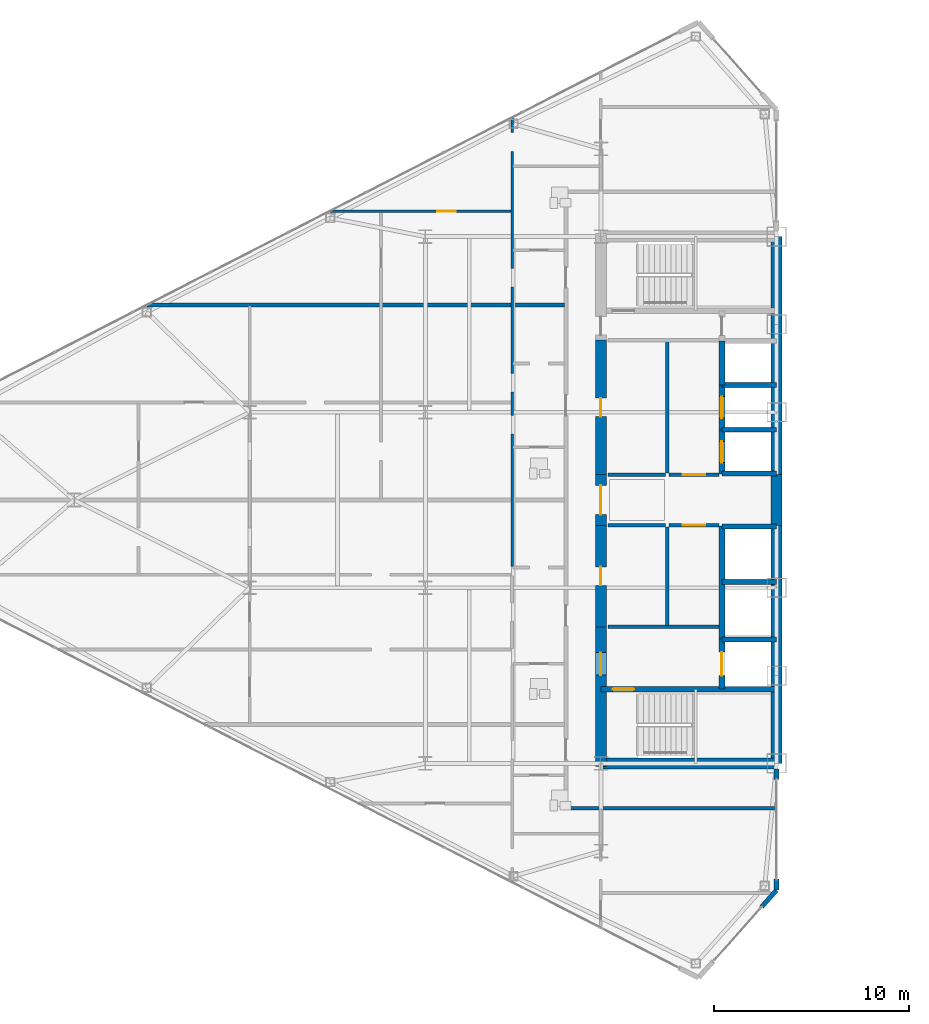
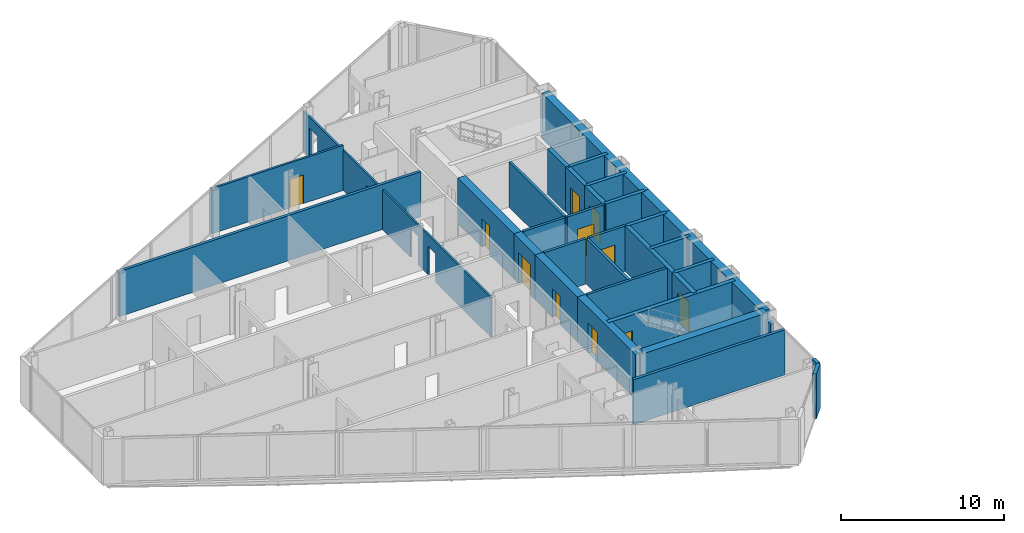
# One storey, part 17 of 24: 34 walls, 11 doors, 15 openings.
"""IFC4 building model written with IfcOpenShell, lengths in metres."""

from ifc_helpers import new_model, si_unit, direction, frame, frame_2d, origin, place, context, subcontext, project, spatial, rectangle, extrude, source, transform, mapped, material, layer, layer_set, type_object, type_shapes, element, fill, save


model = new_model("IFC4")

# Units and contexts
model_context = context("Model", 3, precision=1e-05, world=origin(), true_north=direction((0.0, 1.0)))
body_context = subcontext(model_context, "Body", "Model", "MODEL_VIEW")
ifc_project = project(units=[si_unit("LENGTHUNIT", "METRE"), si_unit("AREAUNIT", "SQUARE_METRE"), si_unit("VOLUMEUNIT", "CUBIC_METRE"), si_unit("PLANEANGLEUNIT", "RADIAN"), si_unit("MASSUNIT", "GRAM", prefix="KILO")], contexts=[model_context])

# Site, building, storey
site_placement = place(None, origin())
site = spatial("IfcSite", under=ifc_project, at=site_placement, CompositionType="ELEMENT")
building_placement = place(site_placement, origin())
building = spatial("IfcBuilding", under=site, at=building_placement, Name="Seokmaru Belvedere", CompositionType="ELEMENT")
storey_placement = place(building_placement, frame((0.0, 0.0, 140.39990234375)))
storey = spatial("IfcBuildingStorey", under=building, at=storey_placement, Name="L37", CompositionType="ELEMENT", Elevation=140.39990234375)

# Wall, opening, door
ifc_material_1 = material(Name="Fire-Rated Gypsum Shaftwall")
ifc_layer_1 = layer(ifc_material_1, 0.14990234375)
ifc_layer_set_1 = layer_set([ifc_layer_1], Name="Fire-Rated Gypsum Shaftwall")
wall_type_1 = type_object("IfcWallType", Name="Apartment Fire-Acoustic Room Partition 150", PredefinedType="PARTITIONING", material=ifc_layer_set_1)
wall_1_placement = place(storey_placement, frame((-50.43798828125, 14.800048828125, 0.0), z_axis=(0.0, 0.0, 1.0), x_axis=(1.0, 0.0, 0.0)))
wall_1 = element("IfcWall", 1, at=wall_1_placement, inside=storey, type_object=wall_type_1, Name="L37 Interior Partition 029", PredefinedType="PARTITIONING", context=body_context, shape_type="SweptSolid", body=[
    extrude(rectangle(XDim=9.337890625, YDim=0.14990234375, at=frame_2d((4.6689453125, 0.0))), origin(), (0.0, 0.0, 1.0), 3.380126953125),
])
opening_1_placement = place(wall_1_placement, frame((5.550537109375, 0.0, 0.0)))
opening_1 = element("IfcOpeningElement", 2, at=opening_1_placement, cuts=wall_1, Name="Opening D05", PredefinedType="OPENING", context=body_context, shape_type="SweptSolid", body=[
    extrude(rectangle(XDim=0.949951171875, YDim=2.14990234375, at=frame_2d((0.47509765625, 1.074951171875))), frame((0.0, 0.0849609375, 0.0), z_axis=(0.0, -1.0, 0.0), x_axis=(1.0, 0.0, 0.0)), (0.0, 0.0, 1.0), 0.169921875),
])
ifc_material_2 = material(Name="Engineered White Oak Timber", Category="wood")
door_type_1 = type_object("IfcDoorType", Name="Apartment Interior Fire-Rated Oak Door 950x2150", OperationType="NOTDEFINED", PredefinedType="DOOR", material=ifc_material_2)
shared_shape_1 = source(origin(), body_context, "Body", "SweptSolid", [
    extrude(rectangle(XDim=0.949951171875, YDim=2.14990234375, at=frame_2d((0.47509765625, 1.074951171875))), frame((0.0, 0.02490234375, 0.0), z_axis=(0.0, -1.0, 0.0), x_axis=(1.0, 0.0, 0.0)), (0.0, 0.0, 1.0), 0.050048828125),
])
type_shapes(door_type_1, [shared_shape_1])
door_1_placement = place(opening_1_placement, origin())
door_1 = element("IfcDoor", 3, at=door_1_placement, inside=storey, type_object=door_type_1, Name="L37 Interior Door 032", OperationType="SINGLE_SWING_LEFT", OverallHeight=2.14990234375, OverallWidth=0.949951171875, PredefinedType="DOOR", context=body_context, shape_type="MappedRepresentation", body=[
    mapped(shared_shape_1, transform((0.0, 0.0, 0.0), scale=1.0)),
])
fill(opening_1, door_1)

# Walls
ifc_layer_2 = layer(ifc_material_1, 0.179931640625)
ifc_layer_set_2 = layer_set([ifc_layer_2], Name="Fire-Rated Gypsum Shaftwall")
wall_type_2 = type_object("IfcWallType", Name="Core Service Fire Partition 180", PredefinedType="PARTITIONING", material=ifc_layer_set_2)
wall_2_placement = place(storey_placement, frame((-36.14990234375, -6.5, 0.0), z_axis=(0.0, 0.0, 1.0), x_axis=(1.0, 0.0, 0.0)))
element("IfcWall", 4, at=wall_2_placement, inside=storey, type_object=wall_type_2, Name="L37 West Firefighting Lobby Partition", PredefinedType="PARTITIONING", context=body_context, shape_type="SweptSolid", body=[
    extrude(rectangle(XDim=5.699951171875, YDim=0.179931640625, at=frame_2d((2.85009765625, 0.0))), origin(), (0.0, 0.0, 1.0), 3.380126953125),
])
wall_3_placement = place(storey_placement, frame((-33.10009765625, -6.419921875, 0.0), z_axis=(0.0, 0.0, 1.0), x_axis=(0.0, 1.0, 0.0)))
element("IfcWall", 5, at=wall_3_placement, inside=storey, type_object=wall_type_2, Name="L37 West South Core Service Back Wall", PredefinedType="PARTITIONING", context=body_context, shape_type="SweptSolid", body=[
    extrude(rectangle(XDim=5.0400390625, YDim=0.179931640625, at=frame_2d((2.52001953125, 0.0))), origin(), (0.0, 0.0, 1.0), 3.380126953125),
])
wall_4_placement = place(storey_placement, frame((-33.10009765625, 1.3798828125, 0.0), z_axis=(0.0, 0.0, 1.0), x_axis=(0.0, 1.0, 0.0)))
element("IfcWall", 6, at=wall_4_placement, inside=storey, type_object=wall_type_2, Name="L37 West North Core Service Back Wall", PredefinedType="PARTITIONING", context=body_context, shape_type="SweptSolid", body=[
    extrude(rectangle(XDim=6.740234375, YDim=0.179931640625, at=frame_2d((3.3701171875, 0.0))), origin(), (0.0, 0.0, 1.0), 3.380126953125),
])

# Wall, opening, door
wall_5_placement = place(storey_placement, frame((-33.02001953125, -1.300048828125, 0.0), z_axis=(0.0, 0.0, 1.0), x_axis=(1.0, 0.0, 0.0)))
wall_5 = element("IfcWall", 7, at=wall_5_placement, inside=storey, type_object=wall_type_2, Name="L37 West South Lift Lobby Foyer Wall", PredefinedType="PARTITIONING", context=body_context, shape_type="SweptSolid", body=[
    extrude(rectangle(XDim=2.570068359375, YDim=0.179931640625, at=frame_2d((1.28515625, 0.0))), origin(), (0.0, 0.0, 1.0), 3.380126953125),
])
opening_2_placement = place(wall_5_placement, frame((0.7099609375, 0.0, 0.0)))
opening_2 = element("IfcOpeningElement", 8, at=opening_2_placement, cuts=wall_5, Name="Opening D02", PredefinedType="OPENING", context=body_context, shape_type="SweptSolid", body=[
    extrude(rectangle(XDim=1.14990234375, YDim=2.199951171875, at=frame_2d((0.574951171875, 1.10009765625))), frame((0.0, 0.10009765625, 0.0), z_axis=(0.0, -1.0, 0.0), x_axis=(1.0, 0.0, 0.0)), (0.0, 0.0, 1.0), 0.199951171875),
])
ifc_material_3 = material(Name="Fire-Rated Steel Leaf", Category="steel")
door_type_2 = type_object("IfcDoorType", Name="Lobby and Vestibule Fire Door 1150x2200", OperationType="NOTDEFINED", PredefinedType="DOOR", material=ifc_material_3)
shared_shape_2 = source(origin(), body_context, "Body", "SweptSolid", [
    extrude(rectangle(XDim=1.14990234375, YDim=2.199951171875, at=frame_2d((0.574951171875, 1.10009765625))), frame((0.0, 0.02490234375, 0.0), z_axis=(0.0, -1.0, 0.0), x_axis=(1.0, 0.0, 0.0)), (0.0, 0.0, 1.0), 0.050048828125),
])
type_shapes(door_type_2, [shared_shape_2])
door_2_placement = place(opening_2_placement, origin())
door_2 = element("IfcDoor", 9, at=door_2_placement, inside=storey, type_object=door_type_2, Name="L37 West South Core Foyer Door", OperationType="SINGLE_SWING_LEFT", OverallHeight=2.199951171875, OverallWidth=1.14990234375, PredefinedType="DOOR", context=body_context, shape_type="MappedRepresentation", body=[
    mapped(shared_shape_2, transform((0.0, 0.0, 0.0), scale=1.0)),
])
fill(opening_2, door_2)

wall_6_placement = place(storey_placement, frame((-33.02001953125, 1.300048828125, 0.0), z_axis=(0.0, 0.0, 1.0), x_axis=(1.0, 0.0, 0.0)))
wall_6 = element("IfcWall", 10, at=wall_6_placement, inside=storey, type_object=wall_type_2, Name="L37 West North Lift Lobby Foyer Wall", PredefinedType="PARTITIONING", context=body_context, shape_type="SweptSolid", body=[
    extrude(rectangle(XDim=2.570068359375, YDim=0.179931640625, at=frame_2d((1.28515625, 0.0))), origin(), (0.0, 0.0, 1.0), 3.380126953125),
])
opening_3_placement = place(wall_6_placement, frame((0.7099609375, 0.0, 0.0)))
opening_3 = element("IfcOpeningElement", 11, at=opening_3_placement, cuts=wall_6, Name="Opening D02", PredefinedType="OPENING", context=body_context, shape_type="SweptSolid", body=[
    extrude(rectangle(XDim=1.14990234375, YDim=2.199951171875, at=frame_2d((0.574951171875, 1.10009765625))), frame((0.0, 0.10009765625, 0.0), z_axis=(0.0, -1.0, 0.0), x_axis=(1.0, 0.0, 0.0)), (0.0, 0.0, 1.0), 0.199951171875),
])
door_3_placement = place(opening_3_placement, origin())
door_3 = element("IfcDoor", 12, at=door_3_placement, inside=storey, type_object=door_type_2, Name="L37 West North Lift Lobby Door", OperationType="SINGLE_SWING_RIGHT", OverallHeight=2.199951171875, OverallWidth=1.14990234375, PredefinedType="DOOR", context=body_context, shape_type="MappedRepresentation", body=[
    mapped(shared_shape_2, transform((0.0, 0.0, 0.0), scale=1.0)),
])
fill(opening_3, door_3)

# Walls
for number, where, z_axis, x_axis, name in (
    (13, (-36.14990234375, -1.300048828125, 0.0), (0.0, 0.0, 1.0), (1.0, 0.0, 0.0), "L37 West Foyer Side Wall S"),
    (14, (-36.14990234375, 1.300048828125, 0.0), (0.0, 0.0, 1.0), (1.0, 0.0, 0.0), "L37 West Foyer Side Wall N"),
):
    element("IfcWall", number, at=place(storey_placement, frame(where, z_axis=z_axis, x_axis=x_axis)), inside=storey, type_object=wall_type_2, Name=name, PredefinedType="PARTITIONING", context=body_context, shape_type="SweptSolid", body=[
        extrude(rectangle(XDim=2.949951171875, YDim=0.179931640625, at=frame_2d((1.47509765625, 0.0))), origin(), (0.0, 0.0, 1.0), 3.380126953125),
    ])
ifc_material_4 = material(Name="Concrete C50 (50 MPa)", Category="concrete")
ifc_layer_3 = layer(ifc_material_4, 0.25)
ifc_layer_set_3 = layer_set([ifc_layer_3], Name="Concrete C50 (50 MPa)")
wall_type_3 = type_object("IfcWallType", Name="Hoistway Transverse Concrete Divider Wall 250", PredefinedType="SHEAR", material=ifc_layer_set_3)
for number, where, z_axis, x_axis, name in (
    (15, (-30.300048828125, -7.14990234375, 0.0), (0.0, 0.0, 1.0), (1.0, 0.0, 0.0), "L37 West Hoistway Divider Core Wall 1"),
    (16, (-30.300048828125, -4.199951171875, 0.0), (0.0, 0.0, 1.0), (1.0, 0.0, 0.0), "L37 West Hoistway Divider Core Wall 2"),
    (17, (-30.300048828125, -1.35009765625, 0.0), (0.0, 0.0, 1.0), (1.0, 0.0, 0.0), "L37 West Hoistway Divider Core Wall 3"),
    (18, (-30.300048828125, 1.35009765625, 0.0), (0.0, 0.0, 1.0), (1.0, 0.0, 0.0), "L37 West Hoistway Divider Core Wall 4"),
    (19, (-30.300048828125, 3.60009765625, 0.0), (0.0, 0.0, 1.0), (1.0, 0.0, 0.0), "L37 West Hoistway Divider Core Wall 5"),
    (20, (-30.300048828125, 5.89990234375, 0.0), (0.0, 0.0, 1.0), (1.0, 0.0, 0.0), "L37 West Hoistway Divider Core Wall 6"),
):
    element("IfcWall", number, at=place(storey_placement, frame(where, z_axis=z_axis, x_axis=x_axis)), inside=storey, type_object=wall_type_3, Name=name, PredefinedType="SHEAR", context=body_context, shape_type="SweptSolid", body=[
        extrude(rectangle(XDim=2.800048828125, YDim=0.25, at=frame_2d((1.39990234375, 0.0))), origin(), (0.0, 0.0, 1.0), 3.380126953125),
    ])
ifc_layer_4 = layer(ifc_material_1, 0.199951171875)
ifc_layer_set_4 = layer_set([ifc_layer_4], Name="Fire-Rated Gypsum Shaftwall")
wall_type_4 = type_object("IfcWallType", Name="Inter-Tenancy Fire Compartment Partition 200", PredefinedType="PARTITIONING", material=ifc_layer_set_4)
wall_7_placement = place(storey_placement, frame((-38.215087890625, -15.800048828125, 0.0), z_axis=(0.0, 0.0, 1.0), x_axis=(1.0, 0.0, 0.0)))
element("IfcWall", 21, at=wall_7_placement, inside=storey, type_object=wall_type_4, Name="L37 Interior Partition 003", PredefinedType="PARTITIONING", context=body_context, shape_type="SweptSolid", body=[
    extrude(rectangle(XDim=10.715087890625, YDim=0.199951171875, at=frame_2d((5.357421875, 0.0))), origin(), (0.0, 0.0, 1.0), 3.380126953125),
])
wall_8_placement = place(storey_placement, frame((-59.76708984375, 10.0, 0.0), z_axis=(0.0, 0.0, 1.0), x_axis=(1.0, 0.0, 0.0)))
element("IfcWall", 22, at=wall_8_placement, inside=storey, type_object=wall_type_4, Name="L37 Interior Partition 027", PredefinedType="PARTITIONING", context=body_context, shape_type="SweptSolid", body=[
    extrude(rectangle(XDim=21.38720703125, YDim=0.199951171875, at=frame_2d((10.693603515625, 0.0))), origin(), (0.0, 0.0, 1.0), 3.380126953125),
])

# Wall, opening, door
ifc_layer_5 = layer(ifc_material_4, 0.300048828125)
ifc_layer_set_5 = layer_set([ifc_layer_5], Name="Concrete C50 (50 MPa)")
wall_type_5 = type_object("IfcWallType", Name="Internal Core Stair and Hoistway Wall 300", PredefinedType="SHEAR", material=ifc_layer_set_5)
wall_9_placement = place(storey_placement, frame((-36.5, -9.699951171875, 0.0), z_axis=(0.0, 0.0, 1.0), x_axis=(1.0, 0.0, 0.0)))
wall_9 = element("IfcWall", 23, at=wall_9_placement, inside=storey, type_object=wall_type_5, Name="L37 West Stair ST-1 Enclosure Wall", PredefinedType="SHEAR", context=body_context, shape_type="SweptSolid", body=[
    extrude(rectangle(XDim=9.0, YDim=0.300048828125, at=frame_2d((4.5, 0.0))), origin(), (0.0, 0.0, 1.0), 3.380126953125),
])
opening_4_placement = place(wall_9_placement, frame((0.60009765625, 0.0, 0.0)))
opening_4 = element("IfcOpeningElement", 24, at=opening_4_placement, cuts=wall_9, Name="Opening D01", PredefinedType="OPENING", context=body_context, shape_type="SweptSolid", body=[
    extrude(rectangle(XDim=1.10009765625, YDim=2.199951171875, at=frame_2d((0.550048828125, 1.10009765625))), frame((0.0, 0.16015625, 0.0), z_axis=(0.0, -1.0, 0.0), x_axis=(1.0, 0.0, 0.0)), (0.0, 0.0, 1.0), 0.320068359375),
])
door_type_3 = type_object("IfcDoorType", Name="Special Escape Stair Smokeproof Fire Door 1100x2200", OperationType="NOTDEFINED", PredefinedType="DOOR", material=ifc_material_3)
shared_shape_3 = source(origin(), body_context, "Body", "SweptSolid", [
    extrude(rectangle(XDim=1.10009765625, YDim=2.199951171875, at=frame_2d((0.550048828125, 1.10009765625))), frame((0.0, 0.02490234375, 0.0), z_axis=(0.0, -1.0, 0.0), x_axis=(1.0, 0.0, 0.0)), (0.0, 0.0, 1.0), 0.050048828125),
])
type_shapes(door_type_3, [shared_shape_3])
door_4_placement = place(opening_4_placement, frame((1.10009765625, 0.0, 0.0), z_axis=(0.0, 0.0, 1.0), x_axis=(-1.0, 0.0, 0.0)))
door_4 = element("IfcDoor", 25, at=door_4_placement, inside=storey, type_object=door_type_3, Name="L37 West Special Escape Stair ST-1 Door", OperationType="SINGLE_SWING_LEFT", OverallHeight=2.199951171875, OverallWidth=1.10009765625, PredefinedType="DOOR", context=body_context, shape_type="MappedRepresentation", body=[
    mapped(shared_shape_3, transform((0.0, 0.0, 0.0), scale=1.0)),
])
fill(opening_4, door_4)

wall_10_placement = place(storey_placement, frame((-30.300048828125, -9.679931640625, 0.0), z_axis=(0.0, 0.0, 1.0), x_axis=(0.0, 1.0, 0.0)))
wall_10 = element("IfcWall", 26, at=wall_10_placement, inside=storey, type_object=wall_type_5, Name="L37 West Firefighting Lift Shaft Front Wall", PredefinedType="SHEAR", context=body_context, shape_type="SweptSolid", body=[
    extrude(rectangle(XDim=2.559814453125, YDim=0.300048828125, at=frame_2d((1.27978515625, 0.0))), origin(), (0.0, 0.0, 1.0), 3.380126953125),
])
opening_5_placement = place(wall_10_placement, frame((0.679931640625, 0.0, 0.0)))
opening_5 = element("IfcOpeningElement", 27, at=opening_5_placement, cuts=wall_10, Name="Opening LD2", PredefinedType="OPENING", context=body_context, shape_type="SweptSolid", body=[
    extrude(rectangle(XDim=1.199951171875, YDim=2.25, at=frame_2d((0.60009765625, 1.125))), frame((0.0, 0.16015625, 0.0), z_axis=(0.0, -1.0, 0.0), x_axis=(1.0, 0.0, 0.0)), (0.0, 0.0, 1.0), 0.320068359375),
])
ifc_material_5 = material(Name="Stainless Steel 316", Category="steel")
door_type_4 = type_object("IfcDoorType", Name="Firefighting Lift Sliding Landing Door 1200x2250", OperationType="DOUBLE_DOOR_SLIDING", PredefinedType="DOOR", material=ifc_material_5)
shared_shape_4 = source(origin(), body_context, "Body", "SweptSolid", [
    extrude(rectangle(XDim=1.199951171875, YDim=2.25, at=frame_2d((0.60009765625, 1.125))), frame((0.0, 0.02490234375, 0.0), z_axis=(0.0, -1.0, 0.0), x_axis=(1.0, 0.0, 0.0)), (0.0, 0.0, 1.0), 0.050048828125),
])
type_shapes(door_type_4, [shared_shape_4])
door_5_placement = place(opening_5_placement, origin())
door_5 = element("IfcDoor", 28, at=door_5_placement, inside=storey, type_object=door_type_4, Name="L37 West Firefighting Lift Landing Door", OperationType="DOUBLE_DOOR_SLIDING", OverallHeight=2.25, OverallWidth=1.199951171875, PredefinedType="DOOR", context=body_context, shape_type="MappedRepresentation", body=[
    mapped(shared_shape_4, transform((0.0, 0.0, 0.0), scale=1.0)),
])
fill(opening_5, door_5)

# Wall
wall_11_placement = place(storey_placement, frame((-30.300048828125, -7.1201171875, 0.0), z_axis=(0.0, 0.0, 1.0), x_axis=(0.0, 1.0, 0.0)))
element("IfcWall", 29, at=wall_11_placement, inside=storey, type_object=wall_type_5, Name="L37 West Low-Rise Lift Overrun Shaft Wall", PredefinedType="SHEAR", context=body_context, shape_type="SweptSolid", body=[
    extrude(rectangle(XDim=5.800048828125, YDim=0.300048828125, at=frame_2d((2.89990234375, 0.0))), origin(), (0.0, 0.0, 1.0), 3.380126953125),
])

# Wall, opening, door
wall_12_placement = place(storey_placement, frame((-30.300048828125, 1.320068359375, 0.0), z_axis=(0.0, 0.0, 1.0), x_axis=(0.0, 1.0, 0.0)))
wall_12 = element("IfcWall", 30, at=wall_12_placement, inside=storey, type_object=wall_type_5, Name="L37 West North Hoistway Wall PH1", PredefinedType="SHEAR", context=body_context, shape_type="SweptSolid", body=[
    extrude(rectangle(XDim=2.280029296875, YDim=0.300048828125, at=frame_2d((1.14013671875, 0.0))), origin(), (0.0, 0.0, 1.0), 3.380126953125),
])
opening_6_placement = place(wall_12_placement, frame((0.590087890625, 0.0, 0.0)))
opening_6 = element("IfcOpeningElement", 31, at=opening_6_placement, cuts=wall_12, Name="Opening LD1", PredefinedType="OPENING", context=body_context, shape_type="SweptSolid", body=[
    extrude(rectangle(XDim=1.10009765625, YDim=2.199951171875, at=frame_2d((0.550048828125, 1.10009765625))), frame((0.0, 0.16015625, 0.0), z_axis=(0.0, -1.0, 0.0), x_axis=(1.0, 0.0, 0.0)), (0.0, 0.0, 1.0), 0.320068359375),
])
door_type_5 = type_object("IfcDoorType", Name="Passenger Lift Sliding Landing Door 1100x2200", OperationType="DOUBLE_DOOR_SLIDING", PredefinedType="DOOR", material=ifc_material_5)
shared_shape_5 = source(origin(), body_context, "Body", "SweptSolid", [
    extrude(rectangle(XDim=1.10009765625, YDim=2.199951171875, at=frame_2d((0.550048828125, 1.10009765625))), frame((0.0, 0.02490234375, 0.0), z_axis=(0.0, -1.0, 0.0), x_axis=(1.0, 0.0, 0.0)), (0.0, 0.0, 1.0), 0.050048828125),
])
type_shapes(door_type_5, [shared_shape_5])
door_6_placement = place(opening_6_placement, origin())
door_6 = element("IfcDoor", 32, at=door_6_placement, inside=storey, type_object=door_type_5, Name="L37 West High-Rise Lift PH-1 Landing Door", OperationType="DOUBLE_DOOR_SLIDING", OverallHeight=2.199951171875, OverallWidth=1.10009765625, PredefinedType="DOOR", context=body_context, shape_type="MappedRepresentation", body=[
    mapped(shared_shape_5, transform((0.0, 0.0, 0.0), scale=1.0)),
])
fill(opening_6, door_6)

wall_13_placement = place(storey_placement, frame((-30.300048828125, 3.60009765625, 0.0), z_axis=(0.0, 0.0, 1.0), x_axis=(0.0, 1.0, 0.0)))
wall_13 = element("IfcWall", 33, at=wall_13_placement, inside=storey, type_object=wall_type_5, Name="L37 West North Hoistway Wall PH2", PredefinedType="SHEAR", context=body_context, shape_type="SweptSolid", body=[
    extrude(rectangle(XDim=2.2998046875, YDim=0.300048828125, at=frame_2d((1.14990234375, 0.0))), origin(), (0.0, 0.0, 1.0), 3.380126953125),
])
opening_7_placement = place(wall_13_placement, frame((0.60009765625, 0.0, 0.0)))
opening_7 = element("IfcOpeningElement", 34, at=opening_7_placement, cuts=wall_13, Name="Opening LD1", PredefinedType="OPENING", context=body_context, shape_type="SweptSolid", body=[
    extrude(rectangle(XDim=1.10009765625, YDim=2.199951171875, at=frame_2d((0.550048828125, 1.10009765625))), frame((0.0, 0.16015625, 0.0), z_axis=(0.0, -1.0, 0.0), x_axis=(1.0, 0.0, 0.0)), (0.0, 0.0, 1.0), 0.320068359375),
])
door_7_placement = place(opening_7_placement, origin())
door_7 = element("IfcDoor", 35, at=door_7_placement, inside=storey, type_object=door_type_5, Name="L37 West High-Rise Lift PH-2 Landing Door", OperationType="DOUBLE_DOOR_SLIDING", OverallHeight=2.199951171875, OverallWidth=1.10009765625, PredefinedType="DOOR", context=body_context, shape_type="MappedRepresentation", body=[
    mapped(shared_shape_5, transform((0.0, 0.0, 0.0), scale=1.0)),
])
fill(opening_7, door_7)

# Walls
wall_14_placement = place(storey_placement, frame((-30.300048828125, 5.89990234375, 0.0), z_axis=(0.0, 0.0, 1.0), x_axis=(0.0, 1.0, 0.0)))
element("IfcWall", 36, at=wall_14_placement, inside=storey, type_object=wall_type_5, Name="L37 West North Hoistway Wall OBS", PredefinedType="SHEAR", context=body_context, shape_type="SweptSolid", body=[
    extrude(rectangle(XDim=2.25, YDim=0.300048828125, at=frame_2d((1.125, 0.0))), origin(), (0.0, 0.0, 1.0), 3.380126953125),
])
ifc_layer_6 = layer(ifc_material_4, 0.550048828125)
ifc_layer_set_6 = layer_set([ifc_layer_6], Name="Concrete C50 (50 MPa)")
wall_type_6 = type_object("IfcWallType", Name="Mid-High Reinforced Concrete Core Wall 550", PredefinedType="SHEAR", material=ifc_layer_set_6)
for number, where, z_axis, x_axis, name in (
    (37, (-27.5, -13.5, 0.0), (0.0, 0.0, 1.0), (0.0, 1.0, 0.0), "L37 West Portal Spine Core Wall South"),
    (38, (-27.5, 1.300048828125, 0.0), (0.0, 0.0, 1.0), (0.0, 1.0, 0.0), "L37 West Portal Spine Core Wall North"),
):
    element("IfcWall", number, at=place(storey_placement, frame(where, z_axis=z_axis, x_axis=x_axis)), inside=storey, type_object=wall_type_6, Name=name, PredefinedType="SHEAR", context=body_context, shape_type="SweptSolid", body=[
        extrude(rectangle(XDim=12.199951171875, YDim=0.550048828125, at=frame_2d((6.10009765625, 0.0))), origin(), (0.0, 0.0, 1.0), 3.380126953125),
    ])
wall_15_placement = place(storey_placement, frame((-27.5, -1.300048828125, 0.0), z_axis=(0.0, 0.0, 1.0), x_axis=(0.0, 1.0, 0.0)))
element("IfcWall", 39, at=wall_15_placement, inside=storey, type_object=wall_type_6, Name="L37 West Portal Spine Core Wall Center", PredefinedType="SHEAR", context=body_context, shape_type="SweptSolid", body=[
    extrude(rectangle(XDim=2.60009765625, YDim=0.550048828125, at=frame_2d((1.300048828125, 0.0))), origin(), (0.0, 0.0, 1.0), 3.380126953125),
])
wall_16_placement = place(storey_placement, frame((-36.5, -13.5, 0.0), z_axis=(0.0, 0.0, 1.0), x_axis=(1.0, 0.0, 0.0)))
element("IfcWall", 40, at=wall_16_placement, inside=storey, type_object=wall_type_6, Name="L37 West South Core Wall", PredefinedType="SHEAR", context=body_context, shape_type="SweptSolid", body=[
    extrude(rectangle(XDim=9.0, YDim=0.550048828125, at=frame_2d((4.5, 0.0))), origin(), (0.0, 0.0, 1.0), 3.380126953125),
])

# Wall, opening, door
wall_17_placement = place(storey_placement, frame((-36.5, -13.64990234375, 0.0), z_axis=(0.0, 0.0, 1.0), x_axis=(0.0, 1.0, 0.0)))
wall_17 = element("IfcWall", 41, at=wall_17_placement, inside=storey, type_object=wall_type_6, Name="L37 West West Core Wall FF", PredefinedType="SHEAR", context=body_context, shape_type="SweptSolid", body=[
    extrude(rectangle(XDim=7.14990234375, YDim=0.550048828125, at=frame_2d((3.574951171875, 0.0))), origin(), (0.0, 0.0, 1.0), 3.380126953125),
])
opening_8_placement = place(wall_17_placement, frame((4.675048828125, 0.0, 0.0)))
opening_8 = element("IfcOpeningElement", 42, at=opening_8_placement, cuts=wall_17, Name="Opening D02", PredefinedType="OPENING", context=body_context, shape_type="SweptSolid", body=[
    extrude(rectangle(XDim=1.14990234375, YDim=2.199951171875, at=frame_2d((0.574951171875, 1.10009765625))), frame((0.0, 0.28515625, 0.0), z_axis=(0.0, -1.0, 0.0), x_axis=(1.0, 0.0, 0.0)), (0.0, 0.0, 1.0), 0.570068359375),
])
door_8_placement = place(opening_8_placement, frame((1.14990234375, 0.0, 0.0), z_axis=(0.0, 0.0, 1.0), x_axis=(-1.0, 0.0, 0.0)))
door_8 = element("IfcDoor", 43, at=door_8_placement, inside=storey, type_object=door_type_2, Name="L37 West Firefighting Lobby Door", OperationType="SINGLE_SWING_LEFT", OverallHeight=2.199951171875, OverallWidth=1.14990234375, PredefinedType="DOOR", context=body_context, shape_type="MappedRepresentation", body=[
    mapped(shared_shape_2, transform((0.0, 0.0, 0.0), scale=1.0)),
])
fill(opening_8, door_8)

wall_18_placement = place(storey_placement, frame((-36.5, -1.300048828125, 0.0), z_axis=(0.0, 0.0, 1.0), x_axis=(0.0, 1.0, 0.0)))
wall_18 = element("IfcWall", 44, at=wall_18_placement, inside=storey, type_object=wall_type_6, Name="L37 West West Core Wall FOY", PredefinedType="SHEAR", context=body_context, shape_type="SweptSolid", body=[
    extrude(rectangle(XDim=2.60009765625, YDim=0.550048828125, at=frame_2d((1.300048828125, 0.0))), origin(), (0.0, 0.0, 1.0), 3.380126953125),
])
opening_9_placement = place(wall_18_placement, frame((0.550048828125, 0.0, 0.0)))
opening_9 = element("IfcOpeningElement", 45, at=opening_9_placement, cuts=wall_18, Name="Opening D08", PredefinedType="OPENING", context=body_context, shape_type="SweptSolid", body=[
    extrude(rectangle(XDim=1.5, YDim=2.300048828125, at=frame_2d((0.75, 1.14990234375))), frame((0.0, 0.28515625, 0.0), z_axis=(0.0, -1.0, 0.0), x_axis=(1.0, 0.0, 0.0)), (0.0, 0.0, 1.0), 0.570068359375),
])
door_type_6 = type_object("IfcDoorType", Name="Cross-Corridor Compartment Double Fire Door 1500x2300", OperationType="DOUBLE_SWING_LEFT", PredefinedType="DOOR", material=ifc_material_3)
shared_shape_6 = source(origin(), body_context, "Body", "SweptSolid", [
    extrude(rectangle(XDim=1.5, YDim=2.300048828125, at=frame_2d((0.75, 1.14990234375))), frame((0.0, 0.02490234375, 0.0), z_axis=(0.0, -1.0, 0.0), x_axis=(1.0, 0.0, 0.0)), (0.0, 0.0, 1.0), 0.050048828125),
])
type_shapes(door_type_6, [shared_shape_6])
door_9_placement = place(opening_9_placement, origin())
door_9 = element("IfcDoor", 46, at=door_9_placement, inside=storey, type_object=door_type_6, Name="L37 West Core Foyer Compartment Door", OperationType="DOUBLE_SWING_LEFT", OverallHeight=2.300048828125, OverallWidth=1.5, PredefinedType="DOOR", context=body_context, shape_type="MappedRepresentation", body=[
    mapped(shared_shape_6, transform((0.0, 0.0, 0.0), scale=1.0)),
])
fill(opening_9, door_9)

wall_19_placement = place(storey_placement, frame((-36.5, -6.5, 0.0), z_axis=(0.0, 0.0, 1.0), x_axis=(0.0, 1.0, 0.0)))
wall_19 = element("IfcWall", 47, at=wall_19_placement, inside=storey, type_object=wall_type_6, Name="L37 West West Core Wall CS1", PredefinedType="SHEAR", context=body_context, shape_type="SweptSolid", body=[
    extrude(rectangle(XDim=5.199951171875, YDim=0.550048828125, at=frame_2d((2.60009765625, 0.0))), origin(), (0.0, 0.0, 1.0), 3.380126953125),
])
opening_10_placement = place(wall_19_placement, frame((2.125, 0.0, 0.0)))
opening_10 = element("IfcOpeningElement", 48, at=opening_10_placement, cuts=wall_19, Name="Opening D04", PredefinedType="OPENING", context=body_context, shape_type="SweptSolid", body=[
    extrude(rectangle(XDim=0.949951171875, YDim=2.14990234375, at=frame_2d((0.47509765625, 1.074951171875))), frame((0.0, 0.28515625, 0.0), z_axis=(0.0, -1.0, 0.0), x_axis=(1.0, 0.0, 0.0)), (0.0, 0.0, 1.0), 0.570068359375),
])
door_type_7 = type_object("IfcDoorType", Name="Core Service Room Fire Door 950x2150", OperationType="NOTDEFINED", PredefinedType="DOOR", material=ifc_material_3)
shared_shape_7 = source(origin(), body_context, "Body", "SweptSolid", [
    extrude(rectangle(XDim=0.949951171875, YDim=2.14990234375, at=frame_2d((0.47509765625, 1.074951171875))), frame((0.0, 0.02490234375, 0.0), z_axis=(0.0, -1.0, 0.0), x_axis=(1.0, 0.0, 0.0)), (0.0, 0.0, 1.0), 0.050048828125),
])
type_shapes(door_type_7, [shared_shape_7])
door_10_placement = place(opening_10_placement, origin())
door_10 = element("IfcDoor", 49, at=door_10_placement, inside=storey, type_object=door_type_7, Name="L37 West Core Service Room Door 1", OperationType="SINGLE_SWING_LEFT", OverallHeight=2.14990234375, OverallWidth=0.949951171875, PredefinedType="DOOR", context=body_context, shape_type="MappedRepresentation", body=[
    mapped(shared_shape_7, transform((0.0, 0.0, 0.0), scale=1.0)),
])
fill(opening_10, door_10)

wall_20_placement = place(storey_placement, frame((-36.5, 1.300048828125, 0.0), z_axis=(0.0, 0.0, 1.0), x_axis=(0.0, 1.0, 0.0)))
wall_20 = element("IfcWall", 50, at=wall_20_placement, inside=storey, type_object=wall_type_6, Name="L37 West West Core Wall CS2", PredefinedType="SHEAR", context=body_context, shape_type="SweptSolid", body=[
    extrude(rectangle(XDim=6.89990234375, YDim=0.550048828125, at=frame_2d((3.449951171875, 0.0))), origin(), (0.0, 0.0, 1.0), 3.380126953125),
])
opening_11_placement = place(wall_20_placement, frame((2.97509765625, 0.0, 0.0)))
opening_11 = element("IfcOpeningElement", 51, at=opening_11_placement, cuts=wall_20, Name="Opening D04", PredefinedType="OPENING", context=body_context, shape_type="SweptSolid", body=[
    extrude(rectangle(XDim=0.949951171875, YDim=2.14990234375, at=frame_2d((0.47509765625, 1.074951171875))), frame((0.0, 0.28515625, 0.0), z_axis=(0.0, -1.0, 0.0), x_axis=(1.0, 0.0, 0.0)), (0.0, 0.0, 1.0), 0.570068359375),
])
door_11_placement = place(opening_11_placement, origin())
door_11 = element("IfcDoor", 52, at=door_11_placement, inside=storey, type_object=door_type_7, Name="L37 West Core Service Room Door 2", OperationType="SINGLE_SWING_RIGHT", OverallHeight=2.14990234375, OverallWidth=0.949951171875, PredefinedType="DOOR", context=body_context, shape_type="MappedRepresentation", body=[
    mapped(shared_shape_7, transform((0.0, 0.0, 0.0), scale=1.0)),
])
fill(opening_11, door_11)

# Wall, openings
ifc_layer_7 = layer(ifc_material_1, 0.1298828125)
ifc_layer_set_7 = layer_set([ifc_layer_7], Name="Fire-Rated Gypsum Shaftwall")
wall_type_7 = type_object("IfcWallType", Name="Moisture-Resistant Fire-Rated Bathroom Partition 130", PredefinedType="PARTITIONING", material=ifc_layer_set_7)
wall_21_placement = place(storey_placement, frame((-41.050048828125, -3.39794921875, 0.0), z_axis=(0.0, 0.0, 1.0), x_axis=(0.0, 1.0, 0.0)))
wall_21 = element("IfcWall", 53, at=wall_21_placement, inside=storey, type_object=wall_type_7, Name="L37 Interior Partition 039", PredefinedType="PARTITIONING", context=body_context, shape_type="SweptSolid", body=[
    extrude(rectangle(XDim=23.031982421875, YDim=0.1298828125, at=frame_2d((11.51611328125, 0.0))), origin(), (0.0, 0.0, 1.0), 2.989990234375),
])
opening_12_placement = place(wall_21_placement, frame((6.77197265625, 0.0, 0.0)))
element("IfcOpeningElement", 54, at=opening_12_placement, cuts=wall_21, Name="L37 Cased Opening 021", PredefinedType="OPENING", context=body_context, shape_type="SweptSolid", body=[
    extrude(rectangle(XDim=0.949951171875, YDim=2.14990234375, at=frame_2d((0.47509765625, 1.074951171875))), frame((0.0, 0.074951171875, 0.0), z_axis=(0.0, -1.0, 0.0), x_axis=(1.0, 0.0, 0.0)), (0.0, 0.0, 1.0), 0.14990234375),
])
opening_13_placement = place(wall_21_placement, frame((8.924072265625, 0.0, 0.0)))
element("IfcOpeningElement", 55, at=opening_13_placement, cuts=wall_21, Name="L37 Cased Opening 022", PredefinedType="OPENING", context=body_context, shape_type="SweptSolid", body=[
    extrude(rectangle(XDim=0.949951171875, YDim=2.14990234375, at=frame_2d((0.47509765625, 1.074951171875))), frame((0.0, 0.074951171875, 0.0), z_axis=(0.0, -1.0, 0.0), x_axis=(1.0, 0.0, 0.0)), (0.0, 0.0, 1.0), 0.14990234375),
])
opening_14_placement = place(wall_21_placement, frame((14.320556640625, 0.0, 0.0)))
element("IfcOpeningElement", 56, at=opening_14_placement, cuts=wall_21, Name="L37 Cased Opening 030", PredefinedType="OPENING", context=body_context, shape_type="SweptSolid", body=[
    extrude(rectangle(XDim=0.949951171875, YDim=2.14990234375, at=frame_2d((0.47509765625, 1.074951171875))), frame((0.0, 0.074951171875, 0.0), z_axis=(0.0, -1.0, 0.0), x_axis=(1.0, 0.0, 0.0)), (0.0, 0.0, 1.0), 0.14990234375),
])
opening_15_placement = place(wall_21_placement, frame((21.272705078125, 0.0, 0.0)))
element("IfcOpeningElement", 57, at=opening_15_placement, cuts=wall_21, Name="L37 Cased Opening 033", PredefinedType="OPENING", context=body_context, shape_type="SweptSolid", body=[
    extrude(rectangle(XDim=0.949951171875, YDim=2.14990234375, at=frame_2d((0.47509765625, 1.074951171875))), frame((0.0, 0.074951171875, 0.0), z_axis=(0.0, -1.0, 0.0), x_axis=(1.0, 0.0, 0.0)), (0.0, 0.0, 1.0), 0.14990234375),
])

# Walls
ifc_material_6 = material(Name="Anodised Bronze Aluminium", Category="aluminium")
ifc_layer_8 = layer(ifc_material_6, 0.239990234375)
ifc_layer_set_8 = layer_set([ifc_layer_8], Name="Anodised Bronze Aluminium")
wall_type_8 = type_object("IfcWallType", Name="Tower Corner Spandrel Closure Wall 240", PredefinedType="SOLIDWALL", material=ifc_layer_set_8)
wall_22_placement = place(storey_placement, frame((-27.5, -19.97998046875, 0.0), z_axis=(0.0, 0.0, 1.0), x_axis=(0.0, 1.0, 0.0)))
element("IfcWall", 58, at=wall_22_placement, inside=storey, type_object=wall_type_8, Name="L37 W Spine Closure Pier 1A", PredefinedType="SOLIDWALL", context=body_context, shape_type="SweptSolid", body=[
    extrude(rectangle(XDim=0.550048828125, YDim=0.239990234375, at=frame_2d((0.27490234375, 0.0))), origin(), (0.0, 0.0, 1.0), 3.380126953125),
])
wall_23_placement = place(storey_placement, frame((-27.5, -14.330078125, 0.0), z_axis=(0.0, 0.0, 1.0), x_axis=(0.0, 1.0, 0.0)))
element("IfcWall", 59, at=wall_23_placement, inside=storey, type_object=wall_type_8, Name="L37 W Spine Closure Pier 1B", PredefinedType="SOLIDWALL", context=body_context, shape_type="SweptSolid", body=[
    extrude(rectangle(XDim=0.550048828125, YDim=0.239990234375, at=frame_2d((0.27490234375, 0.0))), origin(), (0.0, 0.0, 1.0), 2.880126953125),
])
wall_24_placement = place(storey_placement, frame((-28.263916015625, -20.859619140625, 0.0), z_axis=(0.0, 0.0, 1.0), x_axis=(0.664337252513, 0.747432950119, 0.0)))
element("IfcWall", 60, at=wall_24_placement, inside=storey, type_object=wall_type_8, Name="L37 W Corner Closure Pier 6B", PredefinedType="SOLIDWALL", context=body_context, shape_type="SweptSolid", body=[
    extrude(rectangle(XDim=1.139892578125, YDim=0.239990234375, at=frame_2d((0.56982421875, 0.0))), origin(), (0.0, 0.0, 1.0), 3.380126953125),
])

save(model, "model.ifc")
